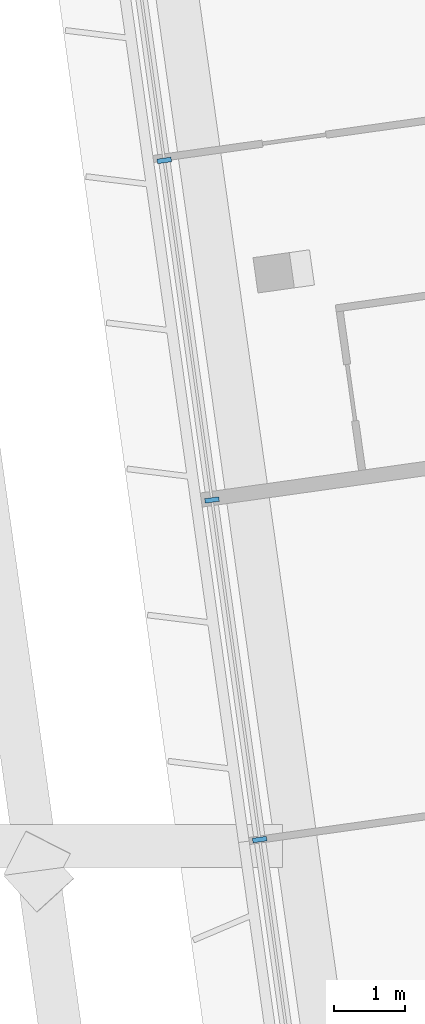
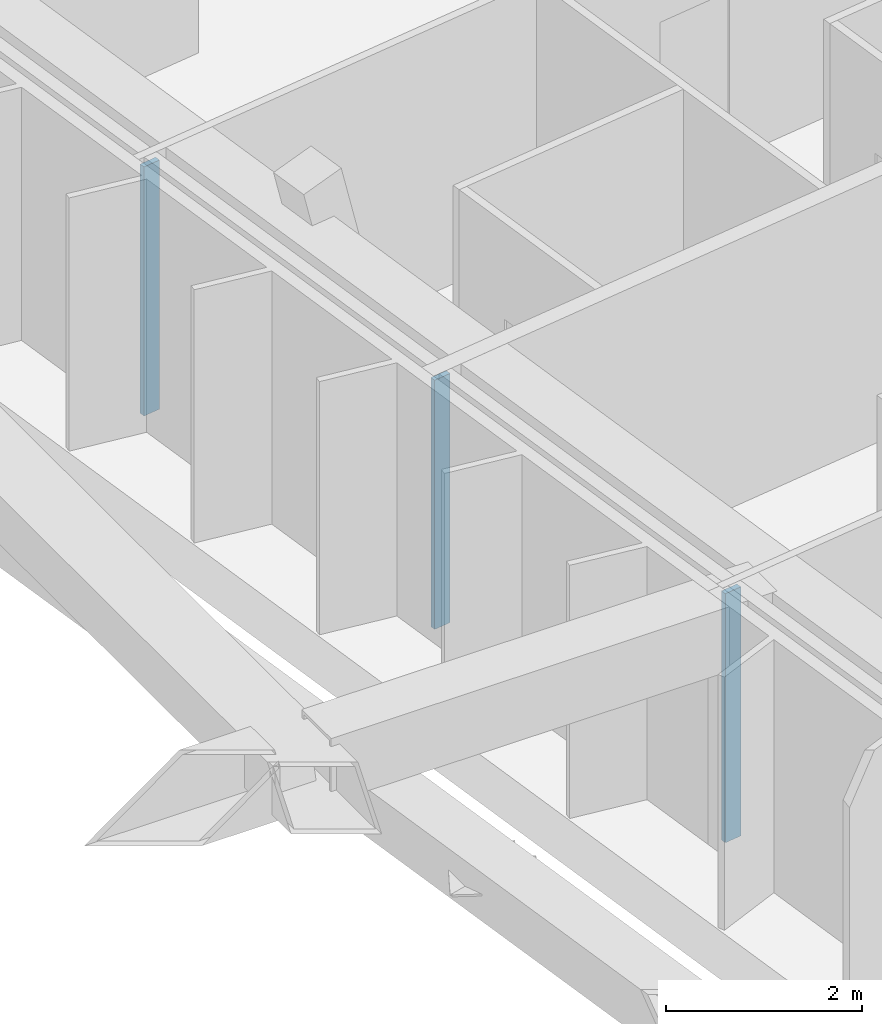
# One storey, part 14 of 36: 3 members, 1 element without a shape of its own.
"""IFC4 building model written with IfcOpenShell, lengths in metres."""

from ifc_helpers import new_model, si_unit, direction, frame, origin, origin_2d, place, context, subcontext, project, spatial, rectangle, extrude, material, material_profile, profile_set, type_object, element, aggregate, save


model = new_model("IFC4")

# Units and contexts
model_context = context("Model", 3, precision=1e-05, world=origin(), true_north=direction((0.0, 1.0)))
body_context = subcontext(model_context, "Body", "Model", "MODEL_VIEW")
ifc_project = project(units=[si_unit("LENGTHUNIT", "METRE"), si_unit("AREAUNIT", "SQUARE_METRE"), si_unit("VOLUMEUNIT", "CUBIC_METRE"), si_unit("PLANEANGLEUNIT", "RADIAN"), si_unit("MASSUNIT", "GRAM", prefix="KILO")], contexts=[model_context])

# Site, building, storey
site_placement = place(None, origin())
site = spatial("IfcSite", under=ifc_project, at=site_placement, CompositionType="ELEMENT")
building_placement = place(site_placement, origin())
building = spatial("IfcBuilding", under=site, at=building_placement, Name="Mirante Cascada Hotel Towers", CompositionType="ELEMENT")
storey_placement = place(building_placement, frame((0.0, 0.0, 254.6)))
storey = spatial("IfcBuildingStorey", under=building, at=storey_placement, Name="L61", CompositionType="ELEMENT", Elevation=254.6)

# Curtain wall, members
ifc_material_1 = material(Name="Aluminium mullion and transom frame with clear laminated glass", Category="aluminium")
curtain_wall_type = type_object("IfcCurtainWallType", Name="End ribbon curtain wall ECW2", PredefinedType="NOTDEFINED", material=ifc_material_1)
curtain_wall_placement = place(storey_placement, origin())
curtain_wall = element("IfcCurtainWall", 1, at=curtain_wall_placement, inside=storey, type_object=curtain_wall_type, Name="Inner end wall T2 L61", PredefinedType="NOTDEFINED")
ifc_material_2 = material(Name="Anodised aluminium extrusion", Category="aluminium")
ifc_material_profile = material_profile(ifc_material_2, rectangle(XDim=0.2, YDim=0.065, at=origin_2d()), Name="ECW2 MULLION 65x200")
ifc_profile_set = profile_set([ifc_material_profile], Name="Anodised aluminium extrusion")
member_type = type_object("IfcMemberType", Name="ECW2 mullion 65x200", PredefinedType="MULLION", material=ifc_profile_set)
member_1_placement = place(storey_placement, frame((16.1456, 5.7727, 0.1), z_axis=(0.0, 0.0, 1.0), x_axis=(0.9902681, 0.1391731, 0.0)))
member_1 = element("IfcMember", 2, at=member_1_placement, type_object=member_type, Name="ECW2 mullion 2", PredefinedType="MULLION", context=body_context, shape_type="SweptSolid", body=[
    extrude(rectangle(XDim=0.2, YDim=0.065, at=origin_2d()), origin(), (0.0, 0.0, 1.0), 3.1),
])
member_2_placement = place(storey_placement, frame((16.8153, 1.0069, 0.1), z_axis=(0.0, 0.0, 1.0), x_axis=(0.9902681, 0.1391731, 0.0)))
member_2 = element("IfcMember", 3, at=member_2_placement, type_object=member_type, Name="ECW2 mullion 3", PredefinedType="MULLION", context=body_context, shape_type="SweptSolid", body=[
    extrude(rectangle(XDim=0.2, YDim=0.065, at=origin_2d()), origin(), (0.0, 0.0, 1.0), 3.1),
])
member_3_placement = place(storey_placement, frame((17.4851, -3.7588, 0.1), z_axis=(0.0, 0.0, 1.0), x_axis=(0.9902681, 0.1391731, 0.0)))
member_3 = element("IfcMember", 4, at=member_3_placement, type_object=member_type, Name="ECW2 mullion 4", PredefinedType="MULLION", context=body_context, shape_type="SweptSolid", body=[
    extrude(rectangle(XDim=0.2, YDim=0.065, at=origin_2d()), origin(), (0.0, 0.0, 1.0), 3.1),
])
aggregate(curtain_wall, [member_1, member_2, member_3])

save(model, "model.ifc")
